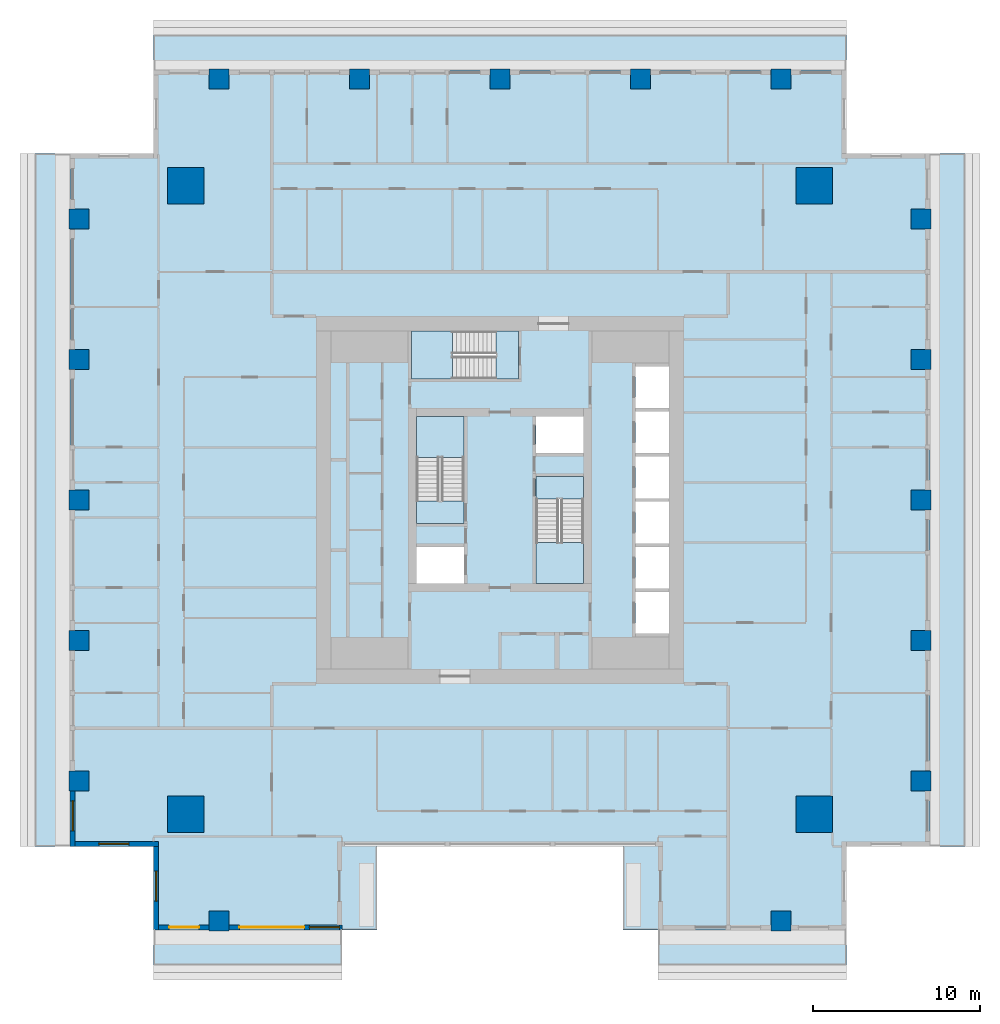
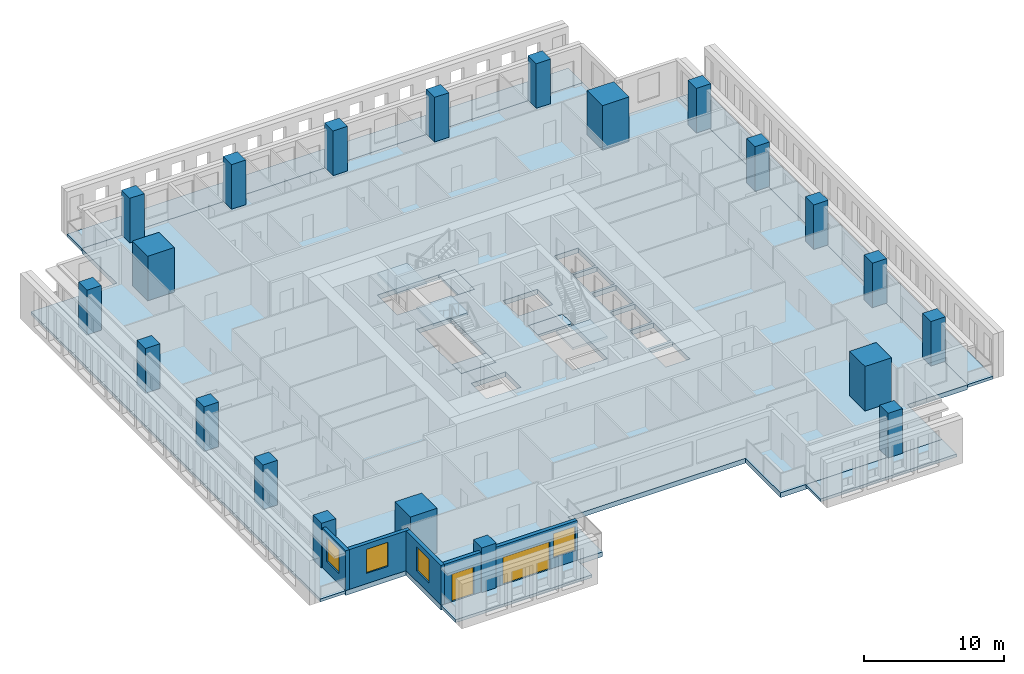
# One storey, part 1 of 14: 21 columns, 12 slabs, 5 walls, 4 windows, 2 doors, 6 openings, 3 elements without a shape of their own.
"""IFC4 building model written with IfcOpenShell, lengths in metres."""

from ifc_helpers import new_model, si_unit, direction, frame, frame_2d, origin, origin_2d, place, context, subcontext, project, spatial, polyline, rectangle, outline, extrude, material, layer, layer_set, material_profile, profile_set, type_object, element, fill, aggregate, save


model = new_model("IFC4")

# Units and contexts
model_context = context("Model", 3, precision=1e-05, world=origin(), true_north=direction((0.0, 1.0)))
body_context = subcontext(model_context, "Body", "Model", "MODEL_VIEW")
ifc_project = project(units=[si_unit("LENGTHUNIT", "METRE"), si_unit("AREAUNIT", "SQUARE_METRE"), si_unit("VOLUMEUNIT", "CUBIC_METRE"), si_unit("PLANEANGLEUNIT", "RADIAN"), si_unit("MASSUNIT", "GRAM", prefix="KILO")], contexts=[model_context])

# Site, building, storey
site_placement = place(None, origin())
site = spatial("IfcSite", under=ifc_project, at=site_placement, CompositionType="ELEMENT")
building_placement = place(site_placement, origin())
building = spatial("IfcBuilding", under=site, at=building_placement, Name="Khepri Terraces", CompositionType="ELEMENT")
storey_placement = place(building_placement, frame((0.0, 0.0, 264.0)))
storey = spatial("IfcBuildingStorey", under=building, at=storey_placement, Name="L63", CompositionType="ELEMENT", Elevation=264.0)

# Columns
ifc_material_1 = material(Name="Concrete C40/50", Category="concrete")
ifc_material_profile_1 = material_profile(ifc_material_1, rectangle(XDim=2.199951171875, YDim=2.199951171875, at=origin_2d()), Name="Concrete C40/50", Category="concrete")
ifc_profile_set_1 = profile_set([ifc_material_profile_1], Name="Concrete C40/50")
column_type_1 = type_object("IfcColumnType", Name="Mega column RC 2200x2200 C40/50", PredefinedType="COLUMN", material=ifc_profile_set_1)
for number, where, z_axis, x_axis, name in (
    (1, (18.800048828125, 18.800048828125, 0.0), (0.0, 0.0, 1.0), (1.0, 0.0, 0.0), "Mega column MEN L63"),
    (2, (18.800048828125, -18.800048828125, 0.0), (0.0, 0.0, 1.0), (1.0, 0.0, 0.0), "Mega column MES L63"),
    (3, (-18.800048828125, 18.800048828125, 0.0), (0.0, 0.0, 1.0), (1.0, 0.0, 0.0), "Mega column MWN L63"),
    (4, (-18.800048828125, -18.800048828125, 0.0), (0.0, 0.0, 1.0), (1.0, 0.0, 0.0), "Mega column MWS L63"),
):
    element("IfcColumn", number, at=place(storey_placement, frame(where, z_axis=z_axis, x_axis=x_axis)), inside=storey, type_object=column_type_1, Name=name, PredefinedType="COLUMN", context=body_context, shape_type="SweptSolid", body=[
        extrude(rectangle(XDim=2.199951171875, YDim=2.199951171875, at=origin_2d()), origin(), (0.0, 0.0, 1.0), 3.89990234375),
    ])
ifc_material_profile_2 = material_profile(ifc_material_1, rectangle(XDim=1.199951171875, YDim=1.199951171875, at=origin_2d()), Name="Concrete C40/50", Category="concrete")
ifc_profile_set_2 = profile_set([ifc_material_profile_2], Name="Concrete C40/50")
column_type_2 = type_object("IfcColumnType", Name="Tower column RC 1200x1200 C40/50", PredefinedType="COLUMN", material=ifc_profile_set_2)
for number, where, z_axis, x_axis, name in (
    (5, (25.199951171875, 0.0, 0.0), (0.0, 0.0, 1.0), (1.0, 0.0, 0.0), "Perimeter column PE+000b L63"),
    (6, (25.199951171875, 8.39990234375, 0.0), (0.0, 0.0, 1.0), (1.0, 0.0, 0.0), "Perimeter column PE+084b L63"),
    (7, (25.199951171875, 16.800048828125, 0.0), (0.0, 0.0, 1.0), (1.0, 0.0, 0.0), "Perimeter column PE+168a L63"),
    (8, (25.199951171875, -8.39990234375, 0.0), (0.0, 0.0, 1.0), (1.0, 0.0, 0.0), "Perimeter column PE-084b L63"),
    (9, (25.199951171875, -16.800048828125, 0.0), (0.0, 0.0, 1.0), (1.0, 0.0, 0.0), "Perimeter column PE-168a L63"),
    (10, (0.0, 25.199951171875, 0.0), (0.0, 0.0, 1.0), (1.0, 0.0, 0.0), "Perimeter column PN+000b L63"),
    (11, (-8.39990234375, 25.199951171875, 0.0), (0.0, 0.0, 1.0), (1.0, 0.0, 0.0), "Perimeter column PN+084b L63"),
    (12, (-16.800048828125, 25.199951171875, 0.0), (0.0, 0.0, 1.0), (1.0, 0.0, 0.0), "Perimeter column PN+168a L63"),
    (13, (8.39990234375, 25.199951171875, 0.0), (0.0, 0.0, 1.0), (1.0, 0.0, 0.0), "Perimeter column PN-084b L63"),
    (14, (16.800048828125, 25.199951171875, 0.0), (0.0, 0.0, 1.0), (1.0, 0.0, 0.0), "Perimeter column PN-168a L63"),
    (15, (16.800048828125, -25.199951171875, 0.0), (0.0, 0.0, 1.0), (1.0, 0.0, 0.0), "Perimeter column PS+168a L63"),
    (16, (-16.800048828125, -25.199951171875, 0.0), (0.0, 0.0, 1.0), (1.0, 0.0, 0.0), "Perimeter column PS-168a L63"),
    (17, (-25.199951171875, 0.0, 0.0), (0.0, 0.0, 1.0), (1.0, 0.0, 0.0), "Perimeter column PW+000b L63"),
    (18, (-25.199951171875, -8.39990234375, 0.0), (0.0, 0.0, 1.0), (1.0, 0.0, 0.0), "Perimeter column PW+084b L63"),
    (19, (-25.199951171875, -16.800048828125, 0.0), (0.0, 0.0, 1.0), (1.0, 0.0, 0.0), "Perimeter column PW+168a L63"),
    (20, (-25.199951171875, 8.39990234375, 0.0), (0.0, 0.0, 1.0), (1.0, 0.0, 0.0), "Perimeter column PW-084b L63"),
    (21, (-25.199951171875, 16.800048828125, 0.0), (0.0, 0.0, 1.0), (1.0, 0.0, 0.0), "Perimeter column PW-168a L63"),
):
    element("IfcColumn", number, at=place(storey_placement, frame(where, z_axis=z_axis, x_axis=x_axis)), inside=storey, type_object=column_type_2, Name=name, PredefinedType="COLUMN", context=body_context, shape_type="SweptSolid", body=[
        extrude(rectangle(XDim=1.199951171875, YDim=1.199951171875, at=origin_2d()), origin(), (0.0, 0.0, 1.0), 3.89990234375),
    ])

# Slabs
ifc_layer_1 = layer(ifc_material_1, 0.419921875, Name="Concrete C40/50", Category="concrete")
ifc_layer_set_1 = layer_set([ifc_layer_1], Name="Concrete C40/50")
slab_type_1 = type_object("IfcSlabType", Name="Flat plate 420", PredefinedType="FLOOR", material=ifc_layer_set_1)
slab_1_placement = place(storey_placement, frame((0.0, 0.0, -0.419921875)))
element("IfcSlab", 22, at=slab_1_placement, inside=storey, type_object=slab_type_1, Name="Floor slab F01 L63", PredefinedType="FLOOR", context=body_context, shape_type="SweptSolid", body=[
    extrude(outline(polyline([(25.719970703125, -20.719970703125), (20.719970703125, -20.719970703125), (20.719970703125, -25.719970703125), (9.449951171875, -25.719970703125), (7.35009765625, -25.719970703125), (7.35009765625, -20.719970703125), (-7.35009765625, -20.719970703125), (-7.35009765625, -25.719970703125), (-9.449951171875, -25.719970703125), (-20.719970703125, -25.719970703125), (-20.719970703125, -20.719970703125), (-25.719970703125, -20.719970703125), (-25.719970703125, 20.719970703125), (-20.719970703125, 20.719970703125), (-20.719970703125, 25.719970703125), (20.719970703125, 25.719970703125), (20.719970703125, 20.719970703125), (25.719970703125, 20.719970703125), (25.719970703125, -20.719970703125)]), holes=[polyline([(2.14990234375, 2.800048828125), (5.0, 2.800048828125), (5.0, 5.0), (2.14990234375, 5.0), (2.14990234375, 2.800048828125)]), polyline([(-5.0, -2.800048828125), (-5.0, -5.0), (-2.14990234375, -5.0), (-2.14990234375, -2.800048828125), (-5.0, -2.800048828125)]), polyline([(10.10009765625, -5.5), (8.10009765625, -5.5), (8.10009765625, -8.0), (10.10009765625, -8.0), (10.10009765625, -5.5)]), polyline([(10.10009765625, -5.300048828125), (10.10009765625, -2.800048828125), (8.10009765625, -2.800048828125), (8.10009765625, -5.300048828125), (10.10009765625, -5.300048828125)]), polyline([(8.10009765625, -2.60009765625), (10.10009765625, -2.60009765625), (10.10009765625, -0.10009765625), (8.10009765625, -0.10009765625), (8.10009765625, -2.60009765625)]), polyline([(8.10009765625, 2.60009765625), (8.10009765625, 0.10009765625), (10.10009765625, 0.10009765625), (10.10009765625, 2.60009765625), (8.10009765625, 2.60009765625)]), polyline([(10.10009765625, 5.300048828125), (8.10009765625, 5.300048828125), (8.10009765625, 2.800048828125), (10.10009765625, 2.800048828125), (10.10009765625, 5.300048828125)]), polyline([(10.10009765625, 5.5), (10.10009765625, 8.0), (8.10009765625, 8.0), (8.10009765625, 5.5), (10.10009765625, 5.5)]), polyline([(-5.0, -1.39990234375), (-2.14990234375, -1.39990234375), (-2.14990234375, 5.0), (-5.0, 5.0), (-5.0, -1.39990234375)]), polyline([(5.0, -5.0), (5.0, 1.39990234375), (2.14990234375, 1.39990234375), (2.14990234375, -5.0), (5.0, -5.0)]), polyline([(-5.300048828125, 10.10009765625), (-5.300048828125, 7.25), (1.10009765625, 7.25), (1.10009765625, 10.10009765625), (-5.300048828125, 10.10009765625)])]), origin(), (0.0, 0.0, 1.0), 0.419921875),
])
ifc_material_2 = material(Name="Precast concrete C50/60 warm stone", Category="masonry")
ifc_layer_2 = layer(ifc_material_2, 0.25, Name="Precast concrete C50/60 warm stone", Category="masonry")
ifc_layer_set_2 = layer_set([ifc_layer_2], Name="Precast concrete C50/60 warm stone")
slab_type_2 = type_object("IfcSlabType", Name="SLB-BALCONY-250", PredefinedType="FLOOR", material=ifc_layer_set_2)
slab_2_placement = place(storey_placement, frame((0.0, 0.0, -0.25)))
element("IfcSlab", 23, at=slab_2_placement, inside=storey, type_object=slab_type_2, Name="Balcony slab L63 S", PredefinedType="FLOOR", context=body_context, shape_type="SweptSolid", body=[
    extrude(outline(polyline([(-17.39990234375, -25.719970703125), (-20.719970703125, -25.719970703125), (-20.719970703125, -27.820068359375), (-9.449951171875, -27.820068359375), (-9.449951171875, -25.719970703125), (-16.199951171875, -25.719970703125), (-16.199951171875, -25.800048828125), (-17.39990234375, -25.800048828125), (-17.39990234375, -25.719970703125)])), origin(), (0.0, 0.0, 1.0), 0.25),
])
slab_3_placement = place(storey_placement, frame((0.0, 0.0, -0.25)))
element("IfcSlab", 24, at=slab_3_placement, inside=storey, type_object=slab_type_2, Name="Balcony slab L63 S", PredefinedType="FLOOR", context=body_context, shape_type="SweptSolid", body=[
    extrude(outline(polyline([(16.199951171875, -25.719970703125), (9.449951171875, -25.719970703125), (9.449951171875, -27.820068359375), (20.719970703125, -27.820068359375), (20.719970703125, -25.719970703125), (17.39990234375, -25.719970703125), (17.39990234375, -25.800048828125), (16.199951171875, -25.800048828125), (16.199951171875, -25.719970703125)])), origin(), (0.0, 0.0, 1.0), 0.25),
])
slab_4_placement = place(storey_placement, frame((0.0, 0.0, -0.25)))
element("IfcSlab", 25, at=slab_4_placement, inside=storey, type_object=slab_type_2, Name="Balcony slab L63 E", PredefinedType="FLOOR", context=body_context, shape_type="SweptSolid", body=[
    extrude(outline(polyline([(25.719970703125, -17.39990234375), (25.719970703125, -20.719970703125), (27.820068359375, -20.719970703125), (27.820068359375, 20.719970703125), (25.719970703125, 20.719970703125), (25.719970703125, 17.39990234375), (25.800048828125, 17.39990234375), (25.800048828125, 16.199951171875), (25.719970703125, 16.199951171875), (25.719970703125, 9.0), (25.800048828125, 9.0), (25.800048828125, 7.800048828125), (25.719970703125, 7.800048828125), (25.719970703125, 0.60009765625), (25.800048828125, 0.60009765625), (25.800048828125, -0.60009765625), (25.719970703125, -0.60009765625), (25.719970703125, -7.800048828125), (25.800048828125, -7.800048828125), (25.800048828125, -9.0), (25.719970703125, -9.0), (25.719970703125, -16.199951171875), (25.800048828125, -16.199951171875), (25.800048828125, -17.39990234375), (25.719970703125, -17.39990234375)])), origin(), (0.0, 0.0, 1.0), 0.25),
])
slab_5_placement = place(storey_placement, frame((0.0, 0.0, -0.25)))
element("IfcSlab", 26, at=slab_5_placement, inside=storey, type_object=slab_type_2, Name="Balcony slab L63 N", PredefinedType="FLOOR", context=body_context, shape_type="SweptSolid", body=[
    extrude(outline(polyline([(17.39990234375, 25.719970703125), (20.719970703125, 25.719970703125), (20.719970703125, 27.820068359375), (-20.719970703125, 27.820068359375), (-20.719970703125, 25.719970703125), (-17.39990234375, 25.719970703125), (-17.39990234375, 25.800048828125), (-16.199951171875, 25.800048828125), (-16.199951171875, 25.719970703125), (-9.0, 25.719970703125), (-9.0, 25.800048828125), (-7.800048828125, 25.800048828125), (-7.800048828125, 25.719970703125), (-0.60009765625, 25.719970703125), (-0.60009765625, 25.800048828125), (0.60009765625, 25.800048828125), (0.60009765625, 25.719970703125), (7.800048828125, 25.719970703125), (7.800048828125, 25.800048828125), (9.0, 25.800048828125), (9.0, 25.719970703125), (16.199951171875, 25.719970703125), (16.199951171875, 25.800048828125), (17.39990234375, 25.800048828125), (17.39990234375, 25.719970703125)])), origin(), (0.0, 0.0, 1.0), 0.25),
])
slab_6_placement = place(storey_placement, frame((0.0, 0.0, -0.25)))
element("IfcSlab", 27, at=slab_6_placement, inside=storey, type_object=slab_type_2, Name="Balcony slab L63 W", PredefinedType="FLOOR", context=body_context, shape_type="SweptSolid", body=[
    extrude(outline(polyline([(-25.719970703125, 17.39990234375), (-25.719970703125, 20.719970703125), (-27.820068359375, 20.719970703125), (-27.820068359375, -20.719970703125), (-25.719970703125, -20.719970703125), (-25.719970703125, -17.39990234375), (-25.800048828125, -17.39990234375), (-25.800048828125, -16.199951171875), (-25.719970703125, -16.199951171875), (-25.719970703125, -9.0), (-25.800048828125, -9.0), (-25.800048828125, -7.800048828125), (-25.719970703125, -7.800048828125), (-25.719970703125, -0.60009765625), (-25.800048828125, -0.60009765625), (-25.800048828125, 0.60009765625), (-25.719970703125, 0.60009765625), (-25.719970703125, 7.800048828125), (-25.800048828125, 7.800048828125), (-25.800048828125, 9.0), (-25.719970703125, 9.0), (-25.719970703125, 16.199951171875), (-25.800048828125, 16.199951171875), (-25.800048828125, 17.39990234375), (-25.719970703125, 17.39990234375)])), origin(), (0.0, 0.0, 1.0), 0.25),
])

# Stair, slabs
stair_type = type_object("IfcStairType", Name="STAIR-RC-22R", PredefinedType="HALF_TURN_STAIR", material=ifc_material_1)
stair_1_placement = place(storey_placement, origin())
stair_1 = element("IfcStair", 28, at=stair_1_placement, inside=storey, type_object=stair_type, Name="L63 Exit Stair ST-1", PredefinedType="HALF_TURN_STAIR")
ifc_layer_3 = layer(ifc_material_1, 0.199951171875, Name="Concrete C40/50", Category="concrete")
ifc_layer_set_3 = layer_set([ifc_layer_3], Name="Concrete C40/50")
slab_type_3 = type_object("IfcSlabType", Name="SLB-CORE-LANDING", PredefinedType="LANDING", material=ifc_layer_set_3)
slab_7_placement = place(storey_placement, frame((0.0, 0.0, -0.199951171875)))
slab_7 = element("IfcSlab", 29, at=slab_7_placement, type_object=slab_type_3, Name="ST-1 landing 1", PredefinedType="LANDING", context=body_context, shape_type="SweptSolid", body=[
    extrude(outline(polyline([(-2.14990234375, -1.39990234375), (-2.14990234375, -0.050048828125), (-5.0, -0.050048828125), (-5.0, -1.39990234375), (-2.14990234375, -1.39990234375)])), origin(), (0.0, 0.0, 1.0), 0.199951171875),
])
slab_8_placement = place(storey_placement, frame((0.0, 0.0, 1.75)))
slab_8 = element("IfcSlab", 30, at=slab_8_placement, type_object=slab_type_3, Name="ST-1 landing 2", PredefinedType="LANDING", context=body_context, shape_type="SweptSolid", body=[
    extrude(outline(polyline([(-2.14990234375, 2.550048828125), (-2.14990234375, 5.0), (-5.0, 5.0), (-5.0, 2.550048828125), (-2.14990234375, 2.550048828125)])), origin(), (0.0, 0.0, 1.0), 0.199951171875),
])
aggregate(stair_1, [slab_7, slab_8])

stair_2_placement = place(storey_placement, origin())
stair_2 = element("IfcStair", 31, at=stair_2_placement, inside=storey, type_object=stair_type, Name="L63 Exit Stair ST-2", PredefinedType="HALF_TURN_STAIR")
slab_9_placement = place(storey_placement, frame((0.0, 0.0, -0.199951171875)))
slab_9 = element("IfcSlab", 32, at=slab_9_placement, type_object=slab_type_3, Name="ST-2 landing 1", PredefinedType="LANDING", context=body_context, shape_type="SweptSolid", body=[
    extrude(outline(polyline([(2.14990234375, 1.39990234375), (2.14990234375, 0.050048828125), (5.0, 0.050048828125), (5.0, 1.39990234375), (2.14990234375, 1.39990234375)])), origin(), (0.0, 0.0, 1.0), 0.199951171875),
])
slab_10_placement = place(storey_placement, frame((0.0, 0.0, 1.75)))
slab_10 = element("IfcSlab", 33, at=slab_10_placement, type_object=slab_type_3, Name="ST-2 landing 2", PredefinedType="LANDING", context=body_context, shape_type="SweptSolid", body=[
    extrude(outline(polyline([(2.14990234375, -2.550048828125), (2.14990234375, -5.0), (5.0, -5.0), (5.0, -2.550048828125), (2.14990234375, -2.550048828125)])), origin(), (0.0, 0.0, 1.0), 0.199951171875),
])
aggregate(stair_2, [slab_9, slab_10])

stair_3_placement = place(storey_placement, origin())
stair_3 = element("IfcStair", 34, at=stair_3_placement, inside=storey, type_object=stair_type, Name="L63 Exit Stair ST-3", PredefinedType="HALF_TURN_STAIR")
slab_11_placement = place(storey_placement, frame((0.0, 0.0, -0.199951171875)))
slab_11 = element("IfcSlab", 35, at=slab_11_placement, type_object=slab_type_3, Name="ST-3 landing 1", PredefinedType="LANDING", context=body_context, shape_type="SweptSolid", body=[
    extrude(outline(polyline([(1.10009765625, 10.10009765625), (-0.25, 10.10009765625), (-0.25, 7.25), (1.10009765625, 7.25), (1.10009765625, 10.10009765625)])), origin(), (0.0, 0.0, 1.0), 0.199951171875),
])
slab_12_placement = place(storey_placement, frame((0.0, 0.0, 1.75)))
slab_12 = element("IfcSlab", 36, at=slab_12_placement, type_object=slab_type_3, Name="ST-3 landing 2", PredefinedType="LANDING", context=body_context, shape_type="SweptSolid", body=[
    extrude(outline(polyline([(-2.85009765625, 10.10009765625), (-5.300048828125, 10.10009765625), (-5.300048828125, 7.25), (-2.85009765625, 7.25), (-2.85009765625, 10.10009765625)])), origin(), (0.0, 0.0, 1.0), 0.199951171875),
])
aggregate(stair_3, [slab_11, slab_12])

# Wall, opening, window
ifc_layer_4 = layer(ifc_material_2, 0.300048828125, Name="Precast concrete C50/60 warm stone", Category="masonry")
ifc_layer_set_4 = layer_set([ifc_layer_4], Name="Precast concrete C50/60 warm stone")
wall_type = type_object("IfcWallType", Name="WL-EXT-PRECAST-300", PredefinedType="STANDARD", material=ifc_layer_set_4)
wall_1_placement = place(storey_placement, frame((-25.570068359375, -17.39990234375, 0.0), z_axis=(0.0, 0.0, 1.0), x_axis=(0.0, -1.0, 0.0)))
wall_1 = element("IfcWall", 37, at=wall_1_placement, inside=storey, type_object=wall_type, Name="External wall L63 W", PredefinedType="STANDARD", context=body_context, shape_type="SweptSolid", body=[
    extrude(rectangle(XDim=3.320068359375, YDim=0.300048828125, at=frame_2d((1.66015625, 0.0))), origin(), (0.0, 0.0, 1.0), 3.47998046875),
])
opening_1_placement = place(wall_1_placement, frame((0.60009765625, 0.0, 0.89990234375)))
opening_1 = element("IfcOpeningElement", 38, at=opening_1_placement, cuts=wall_1, Name="Opening W1", PredefinedType="OPENING", context=body_context, shape_type="SweptSolid", body=[
    extrude(rectangle(XDim=1.800048828125, YDim=2.10009765625, at=frame_2d((0.89990234375, 1.050048828125))), frame((0.0, 0.16015625, 0.0), z_axis=(0.0, -1.0, 0.0), x_axis=(1.0, 0.0, 0.0)), (0.0, 0.0, 1.0), 0.320068359375),
])
ifc_material_3 = material(Name="Clear glass", Category="glass")
window_type = type_object("IfcWindowType", Name="WIN-RES-1800x2100", PartitioningType="SINGLE_PANEL", PredefinedType="WINDOW", material=ifc_material_3)
window_1_placement = place(opening_1_placement, origin())
window_1 = element("IfcWindow", 39, at=window_1_placement, inside=storey, type_object=window_type, Name="Window L63 W", OverallHeight=2.10009765625, OverallWidth=1.800048828125, PartitioningType="SINGLE_PANEL", PredefinedType="WINDOW", context=body_context, shape_type="SweptSolid", body=[
    extrude(rectangle(XDim=1.800048828125, YDim=2.10009765625, at=frame_2d((0.89990234375, 1.050048828125))), frame((0.0, 0.030029296875, 0.0), z_axis=(0.0, -1.0, 0.0), x_axis=(1.0, 0.0, 0.0)), (0.0, 0.0, 1.0), 0.06005859375),
])
fill(opening_1, window_1)

wall_2_placement = place(storey_placement, frame((-25.419921875, -20.570068359375, 0.0), z_axis=(0.0, 0.0, 1.0), x_axis=(1.0, 0.0, 0.0)))
wall_2 = element("IfcWall", 40, at=wall_2_placement, inside=storey, type_object=wall_type, Name="External wall L63 S", PredefinedType="STANDARD", context=body_context, shape_type="SweptSolid", body=[
    extrude(rectangle(XDim=5.0, YDim=0.300048828125, at=frame_2d((2.5, 0.0))), origin(), (0.0, 0.0, 1.0), 3.47998046875),
])
opening_2_placement = place(wall_2_placement, frame((1.419921875, 0.0, 0.89990234375)))
opening_2 = element("IfcOpeningElement", 41, at=opening_2_placement, cuts=wall_2, Name="Opening W1", PredefinedType="OPENING", context=body_context, shape_type="SweptSolid", body=[
    extrude(rectangle(XDim=1.800048828125, YDim=2.10009765625, at=frame_2d((0.89990234375, 1.050048828125))), frame((0.0, 0.16015625, 0.0), z_axis=(0.0, -1.0, 0.0), x_axis=(1.0, 0.0, 0.0)), (0.0, 0.0, 1.0), 0.320068359375),
])
window_2_placement = place(opening_2_placement, origin())
window_2 = element("IfcWindow", 42, at=window_2_placement, inside=storey, type_object=window_type, Name="Window L63 S", OverallHeight=2.10009765625, OverallWidth=1.800048828125, PartitioningType="SINGLE_PANEL", PredefinedType="WINDOW", context=body_context, shape_type="SweptSolid", body=[
    extrude(rectangle(XDim=1.800048828125, YDim=2.10009765625, at=frame_2d((0.89990234375, 1.050048828125))), frame((0.0, 0.030029296875, 0.0), z_axis=(0.0, -1.0, 0.0), x_axis=(1.0, 0.0, 0.0)), (0.0, 0.0, 1.0), 0.06005859375),
])
fill(opening_2, window_2)

wall_3_placement = place(storey_placement, frame((-20.570068359375, -20.719970703125, 0.0), z_axis=(0.0, 0.0, 1.0), x_axis=(0.0, -1.0, 0.0)))
wall_3 = element("IfcWall", 43, at=wall_3_placement, inside=storey, type_object=wall_type, Name="External wall L63 W", PredefinedType="STANDARD", context=body_context, shape_type="SweptSolid", body=[
    extrude(rectangle(XDim=5.0, YDim=0.300048828125, at=frame_2d((2.5, 0.0))), origin(), (0.0, 0.0, 1.0), 3.47998046875),
])
opening_3_placement = place(wall_3_placement, frame((1.47998046875, 0.0, 0.89990234375)))
opening_3 = element("IfcOpeningElement", 44, at=opening_3_placement, cuts=wall_3, Name="Opening W1", PredefinedType="OPENING", context=body_context, shape_type="SweptSolid", body=[
    extrude(rectangle(XDim=1.800048828125, YDim=2.10009765625, at=frame_2d((0.89990234375, 1.050048828125))), frame((0.0, 0.16015625, 0.0), z_axis=(0.0, -1.0, 0.0), x_axis=(1.0, 0.0, 0.0)), (0.0, 0.0, 1.0), 0.320068359375),
])
window_3_placement = place(opening_3_placement, origin())
window_3 = element("IfcWindow", 45, at=window_3_placement, inside=storey, type_object=window_type, Name="Window L63 W", OverallHeight=2.10009765625, OverallWidth=1.800048828125, PartitioningType="SINGLE_PANEL", PredefinedType="WINDOW", context=body_context, shape_type="SweptSolid", body=[
    extrude(rectangle(XDim=1.800048828125, YDim=2.10009765625, at=frame_2d((0.89990234375, 1.050048828125))), frame((0.0, 0.030029296875, 0.0), z_axis=(0.0, -1.0, 0.0), x_axis=(1.0, 0.0, 0.0)), (0.0, 0.0, 1.0), 0.06005859375),
])
fill(opening_3, window_3)

# Wall, opening, door
wall_4_placement = place(storey_placement, frame((-20.419921875, -25.570068359375, 0.0), z_axis=(0.0, 0.0, 1.0), x_axis=(1.0, 0.0, 0.0)))
wall_4 = element("IfcWall", 46, at=wall_4_placement, inside=storey, type_object=wall_type, Name="External wall L63 S", PredefinedType="STANDARD", context=body_context, shape_type="SweptSolid", body=[
    extrude(rectangle(XDim=3.02001953125, YDim=0.300048828125, at=frame_2d((1.510009765625, 0.0))), origin(), (0.0, 0.0, 1.0), 3.47998046875),
])
opening_4_placement = place(wall_4_placement, frame((0.6201171875, 0.0, 0.0)))
opening_4 = element("IfcOpeningElement", 47, at=opening_4_placement, cuts=wall_4, Name="Opening ED-L63-15", PredefinedType="OPENING", context=body_context, shape_type="SweptSolid", body=[
    extrude(rectangle(XDim=1.800048828125, YDim=2.39990234375, at=frame_2d((0.89990234375, 1.199951171875))), frame((0.0, 0.16015625, 0.0), z_axis=(0.0, -1.0, 0.0), x_axis=(1.0, 0.0, 0.0)), (0.0, 0.0, 1.0), 0.320068359375),
])
ifc_material_4 = material(Name="Anodised aluminium bronze glazed door", Category="aluminium")
door_type_1 = type_object("IfcDoorType", Name="DR-BAL-SLIDE-1800x2400", OperationType="NOTDEFINED", PredefinedType="DOOR", material=ifc_material_4)
door_1_placement = place(opening_4_placement, origin())
door_1 = element("IfcDoor", 48, at=door_1_placement, inside=storey, type_object=door_type_1, Name="Balcony door L63 S", OperationType="SLIDING_TO_RIGHT", OverallHeight=2.39990234375, OverallWidth=1.800048828125, PredefinedType="DOOR", context=body_context, shape_type="SweptSolid", body=[
    extrude(rectangle(XDim=1.800048828125, YDim=2.39990234375, at=frame_2d((0.89990234375, 1.199951171875))), frame((0.0, 0.02490234375, 0.0), z_axis=(0.0, -1.0, 0.0), x_axis=(1.0, 0.0, 0.0)), (0.0, 0.0, 1.0), 0.050048828125),
])
fill(opening_4, door_1)

# Wall, openings, door, window
wall_5_placement = place(storey_placement, frame((-16.199951171875, -25.570068359375, 0.0), z_axis=(0.0, 0.0, 1.0), x_axis=(1.0, 0.0, 0.0)))
wall_5 = element("IfcWall", 49, at=wall_5_placement, inside=storey, type_object=wall_type, Name="External wall L63 S", PredefinedType="STANDARD", context=body_context, shape_type="SweptSolid", body=[
    extrude(rectangle(XDim=6.75, YDim=0.300048828125, at=frame_2d((3.375, 0.0))), origin(), (0.0, 0.0, 1.0), 3.47998046875),
])
opening_5_placement = place(wall_5_placement, frame((0.60009765625, 0.0, 0.0)))
opening_5 = element("IfcOpeningElement", 50, at=opening_5_placement, cuts=wall_5, Name="Opening ED-L63-16", PredefinedType="OPENING", context=body_context, shape_type="SweptSolid", body=[
    extrude(rectangle(XDim=3.89990234375, YDim=2.39990234375, at=frame_2d((1.949951171875, 1.199951171875))), frame((0.0, 0.16015625, 0.0), z_axis=(0.0, -1.0, 0.0), x_axis=(1.0, 0.0, 0.0)), (0.0, 0.0, 1.0), 0.320068359375),
])
opening_6_placement = place(wall_5_placement, frame((4.800048828125, 0.0, 0.89990234375)))
opening_6 = element("IfcOpeningElement", 51, at=opening_6_placement, cuts=wall_5, Name="Opening W1", PredefinedType="OPENING", context=body_context, shape_type="SweptSolid", body=[
    extrude(rectangle(XDim=1.800048828125, YDim=2.10009765625, at=frame_2d((0.89990234375, 1.050048828125))), frame((0.0, 0.16015625, 0.0), z_axis=(0.0, -1.0, 0.0), x_axis=(1.0, 0.0, 0.0)), (0.0, 0.0, 1.0), 0.320068359375),
])
door_type_2 = type_object("IfcDoorType", Name="DR-BAL-SLIDE-3900x2400", OperationType="NOTDEFINED", PredefinedType="DOOR", material=ifc_material_4)
door_2_placement = place(opening_5_placement, origin())
door_2 = element("IfcDoor", 52, at=door_2_placement, inside=storey, type_object=door_type_2, Name="Balcony door L63 S", OperationType="SLIDING_TO_LEFT", OverallHeight=2.39990234375, OverallWidth=3.89990234375, PredefinedType="DOOR", context=body_context, shape_type="SweptSolid", body=[
    extrude(rectangle(XDim=3.89990234375, YDim=2.39990234375, at=frame_2d((1.949951171875, 1.199951171875))), frame((0.0, 0.02490234375, 0.0), z_axis=(0.0, -1.0, 0.0), x_axis=(1.0, 0.0, 0.0)), (0.0, 0.0, 1.0), 0.050048828125),
])
fill(opening_5, door_2)
window_4_placement = place(opening_6_placement, origin())
window_4 = element("IfcWindow", 53, at=window_4_placement, inside=storey, type_object=window_type, Name="Window L63 S", OverallHeight=2.10009765625, OverallWidth=1.800048828125, PartitioningType="SINGLE_PANEL", PredefinedType="WINDOW", context=body_context, shape_type="SweptSolid", body=[
    extrude(rectangle(XDim=1.800048828125, YDim=2.10009765625, at=frame_2d((0.89990234375, 1.050048828125))), frame((0.0, 0.030029296875, 0.0), z_axis=(0.0, -1.0, 0.0), x_axis=(1.0, 0.0, 0.0)), (0.0, 0.0, 1.0), 0.06005859375),
])
fill(opening_6, window_4)

save(model, "model.ifc")
